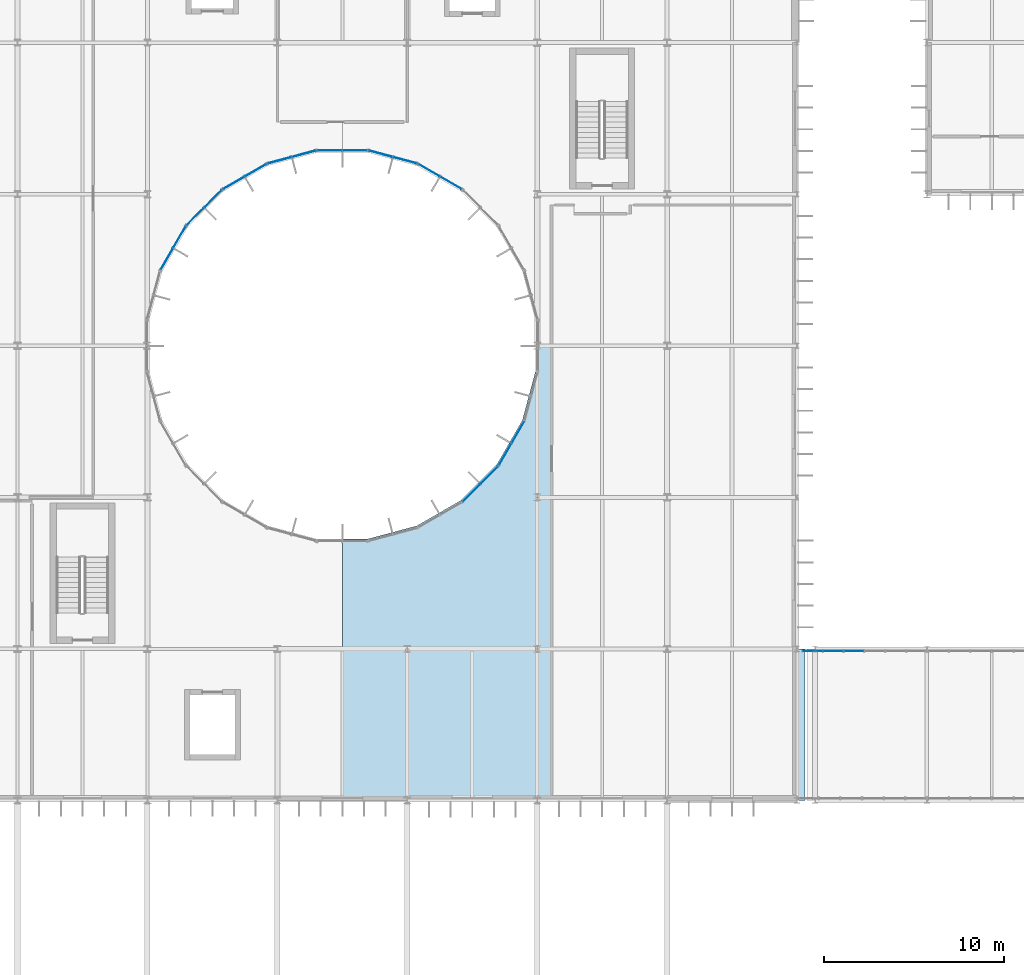
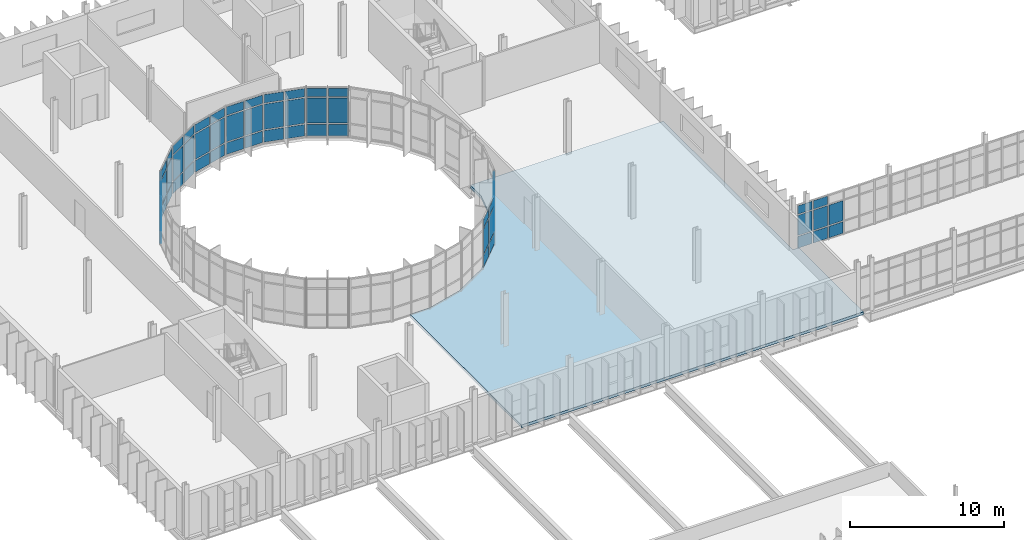
# One storey, part 74 of 119: 62 plates, 1 slab, 10 elements without a shape of their own.
"""IFC4 building model written with IfcOpenShell, lengths in metres."""

from ifc_helpers import new_model, si_unit, direction, frame, origin, origin_2d, place, context, subcontext, project, spatial, polyline, rectangle, outline, extrude, material, layer, layer_set, type_object, element, aggregate, save


model = new_model("IFC4")

# Units and contexts
model_context = context("Model", 3, precision=1e-05, world=origin(), true_north=direction((0.0, 1.0)))
body_context = subcontext(model_context, "Body", "Model", "MODEL_VIEW")
ifc_project = project(units=[si_unit("LENGTHUNIT", "METRE"), si_unit("AREAUNIT", "SQUARE_METRE"), si_unit("VOLUMEUNIT", "CUBIC_METRE"), si_unit("PLANEANGLEUNIT", "RADIAN"), si_unit("MASSUNIT", "GRAM", prefix="KILO")], contexts=[model_context])

# Site, building, storey
site_placement = place(None, origin())
site = spatial("IfcSite", under=ifc_project, at=site_placement, CompositionType="ELEMENT")
building_placement = place(site_placement, origin())
building = spatial("IfcBuilding", under=site, at=building_placement, Name="Qelthora Terrace Specialist Clinic", CompositionType="ELEMENT")
storey_placement = place(building_placement, frame((0.0, 0.0, 4.800048828125)))
storey = spatial("IfcBuildingStorey", under=building, at=storey_placement, Name="L01", CompositionType="ELEMENT", Elevation=4.800048828125)

# Curtain wall, plates
ifc_material_1 = material(Name="Aluminium anodized bronze", Category="aluminium")
curtain_wall_type_1 = type_object("IfcCurtainWallType", Name="CW-CRTW-UPP", PredefinedType="NOTDEFINED", material=ifc_material_1)
curtain_wall_1_placement = place(storey_placement, origin())
curtain_wall_1 = element("IfcCurtainWall", 1, at=curtain_wall_1_placement, inside=storey, type_object=curtain_wall_type_1, Name="Curtain wall CW-CW-L01-04", PredefinedType="NOTDEFINED")
ifc_material_2 = material(Name="Low-E triple-silver insulating glass", Category="glass")
ifc_layer_1 = layer(ifc_material_2, 0.035888671875)
ifc_layer_set_1 = layer_set([ifc_layer_1], Name="Low-E triple-silver insulating glass")
plate_type = type_object("IfcPlateType", Name="CWP-IGU-36", PredefinedType="CURTAIN_PANEL", material=ifc_layer_set_1)
plate_1_placement = place(storey_placement, frame((31.22412109375, 93.024658203125, 0.0849609375), z_axis=(0.0, 0.0, 1.0), x_axis=(-0.866025403784, 0.5, 0.0)))
plate_1 = element("IfcPlate", 2, at=plate_1_placement, type_object=plate_type, Name="CW-CW-L01-04 glazed panel 1", PredefinedType="CURTAIN_PANEL", context=body_context, shape_type="SweptSolid", body=[
    extrude(rectangle(XDim=1.3095703125, YDim=0.035888671875, at=origin_2d()), origin(), (0.0, 0.0, 1.0), 0.919921875),
])
plate_2_placement = place(storey_placement, frame((31.22412109375, 93.024658203125, 1.094970703125), z_axis=(0.0, 0.0, 1.0), x_axis=(-0.866025403784, 0.5, 0.0)))
plate_2 = element("IfcPlate", 3, at=plate_2_placement, type_object=plate_type, Name="CW-CW-L01-04 glazed panel 2", PredefinedType="CURTAIN_PANEL", context=body_context, shape_type="SweptSolid", body=[
    extrude(rectangle(XDim=1.3095703125, YDim=0.035888671875, at=origin_2d()), origin(), (0.0, 0.0, 1.0), 2.0048828125),
])
plate_3_placement = place(storey_placement, frame((31.22412109375, 93.024658203125, 3.18994140625), z_axis=(0.0, 0.0, 1.0), x_axis=(-0.866025403784, 0.5, 0.0)))
plate_3 = element("IfcPlate", 4, at=plate_3_placement, type_object=plate_type, Name="CW-CW-L01-04 glazed panel 3", PredefinedType="CURTAIN_PANEL", context=body_context, shape_type="SweptSolid", body=[
    extrude(rectangle(XDim=1.3095703125, YDim=0.035888671875, at=origin_2d()), origin(), (0.0, 0.0, 1.0), 0.669921875),
])
plate_4_placement = place(storey_placement, frame((30.00341796875, 93.7294921875, 0.0849609375), z_axis=(0.0, 0.0, 1.0), x_axis=(-0.866025403784, 0.5, 0.0)))
plate_4 = element("IfcPlate", 5, at=plate_4_placement, type_object=plate_type, Name="CW-CW-L01-04 glazed panel 4", PredefinedType="CURTAIN_PANEL", context=body_context, shape_type="SweptSolid", body=[
    extrude(rectangle(XDim=1.3095703125, YDim=0.035888671875, at=origin_2d()), origin(), (0.0, 0.0, 1.0), 0.919921875),
])
plate_5_placement = place(storey_placement, frame((30.00341796875, 93.7294921875, 1.094970703125), z_axis=(0.0, 0.0, 1.0), x_axis=(-0.866025403784, 0.5, 0.0)))
plate_5 = element("IfcPlate", 6, at=plate_5_placement, type_object=plate_type, Name="CW-CW-L01-04 glazed panel 5", PredefinedType="CURTAIN_PANEL", context=body_context, shape_type="SweptSolid", body=[
    extrude(rectangle(XDim=1.3095703125, YDim=0.035888671875, at=origin_2d()), origin(), (0.0, 0.0, 1.0), 2.0048828125),
])
plate_6_placement = place(storey_placement, frame((30.00341796875, 93.7294921875, 3.18994140625), z_axis=(0.0, 0.0, 1.0), x_axis=(-0.866025403784, 0.5, 0.0)))
plate_6 = element("IfcPlate", 7, at=plate_6_placement, type_object=plate_type, Name="CW-CW-L01-04 glazed panel 6", PredefinedType="CURTAIN_PANEL", context=body_context, shape_type="SweptSolid", body=[
    extrude(rectangle(XDim=1.3095703125, YDim=0.035888671875, at=origin_2d()), origin(), (0.0, 0.0, 1.0), 0.669921875),
])
aggregate(curtain_wall_1, [plate_1, plate_2, plate_3, plate_4, plate_5, plate_6])

curtain_wall_2_placement = place(storey_placement, origin())
curtain_wall_2 = element("IfcCurtainWall", 8, at=curtain_wall_2_placement, inside=storey, type_object=curtain_wall_type_1, Name="Curtain wall CW-CW-L01-05", PredefinedType="NOTDEFINED")
plate_7_placement = place(storey_placement, frame((28.68310546875, 94.276123046875, 0.0849609375), z_axis=(0.0, 0.0, 1.0), x_axis=(-0.965925374563, 0.258820730961, 0.0)))
plate_7 = element("IfcPlate", 9, at=plate_7_placement, type_object=plate_type, Name="CW-CW-L01-05 glazed panel 1", PredefinedType="CURTAIN_PANEL", context=body_context, shape_type="SweptSolid", body=[
    extrude(rectangle(XDim=1.3095703125, YDim=0.035888671875, at=origin_2d()), origin(), (0.0, 0.0, 1.0), 0.919921875),
])
plate_8_placement = place(storey_placement, frame((28.68310546875, 94.276123046875, 1.094970703125), z_axis=(0.0, 0.0, 1.0), x_axis=(-0.965925374563, 0.258820730961, 0.0)))
plate_8 = element("IfcPlate", 10, at=plate_8_placement, type_object=plate_type, Name="CW-CW-L01-05 glazed panel 2", PredefinedType="CURTAIN_PANEL", context=body_context, shape_type="SweptSolid", body=[
    extrude(rectangle(XDim=1.3095703125, YDim=0.035888671875, at=origin_2d()), origin(), (0.0, 0.0, 1.0), 2.0048828125),
])
plate_9_placement = place(storey_placement, frame((28.68310546875, 94.276123046875, 3.18994140625), z_axis=(0.0, 0.0, 1.0), x_axis=(-0.965925374563, 0.258820730961, 0.0)))
plate_9 = element("IfcPlate", 11, at=plate_9_placement, type_object=plate_type, Name="CW-CW-L01-05 glazed panel 3", PredefinedType="CURTAIN_PANEL", context=body_context, shape_type="SweptSolid", body=[
    extrude(rectangle(XDim=1.3095703125, YDim=0.035888671875, at=origin_2d()), origin(), (0.0, 0.0, 1.0), 0.669921875),
])
plate_10_placement = place(storey_placement, frame((27.321533203125, 94.64111328125, 0.0849609375), z_axis=(0.0, 0.0, 1.0), x_axis=(-0.965925374563, 0.258820730961, 0.0)))
plate_10 = element("IfcPlate", 12, at=plate_10_placement, type_object=plate_type, Name="CW-CW-L01-05 glazed panel 4", PredefinedType="CURTAIN_PANEL", context=body_context, shape_type="SweptSolid", body=[
    extrude(rectangle(XDim=1.3095703125, YDim=0.035888671875, at=origin_2d()), origin(), (0.0, 0.0, 1.0), 0.919921875),
])
plate_11_placement = place(storey_placement, frame((27.321533203125, 94.64111328125, 1.094970703125), z_axis=(0.0, 0.0, 1.0), x_axis=(-0.965925374563, 0.258820730961, 0.0)))
plate_11 = element("IfcPlate", 13, at=plate_11_placement, type_object=plate_type, Name="CW-CW-L01-05 glazed panel 5", PredefinedType="CURTAIN_PANEL", context=body_context, shape_type="SweptSolid", body=[
    extrude(rectangle(XDim=1.3095703125, YDim=0.035888671875, at=origin_2d()), origin(), (0.0, 0.0, 1.0), 2.0048828125),
])
plate_12_placement = place(storey_placement, frame((27.321533203125, 94.64111328125, 3.18994140625), z_axis=(0.0, 0.0, 1.0), x_axis=(-0.965925374563, 0.258820730961, 0.0)))
plate_12 = element("IfcPlate", 14, at=plate_12_placement, type_object=plate_type, Name="CW-CW-L01-05 glazed panel 6", PredefinedType="CURTAIN_PANEL", context=body_context, shape_type="SweptSolid", body=[
    extrude(rectangle(XDim=1.3095703125, YDim=0.035888671875, at=origin_2d()), origin(), (0.0, 0.0, 1.0), 0.669921875),
])
aggregate(curtain_wall_2, [plate_7, plate_8, plate_9, plate_10, plate_11, plate_12])

curtain_wall_3_placement = place(storey_placement, origin())
curtain_wall_3 = element("IfcCurtainWall", 15, at=curtain_wall_3_placement, inside=storey, type_object=curtain_wall_type_1, Name="Curtain wall CW-CW-L01-06", PredefinedType="NOTDEFINED")
plate_13_placement = place(storey_placement, frame((25.90478515625, 94.82763671875, 0.0849609375), z_axis=(0.0, 0.0, 1.0), x_axis=(-1.0, 0.0, 0.0)))
plate_13 = element("IfcPlate", 16, at=plate_13_placement, type_object=plate_type, Name="CW-CW-L01-06 glazed panel 1", PredefinedType="CURTAIN_PANEL", context=body_context, shape_type="SweptSolid", body=[
    extrude(rectangle(XDim=1.3095703125, YDim=0.035888671875, at=origin_2d()), origin(), (0.0, 0.0, 1.0), 0.919921875),
])
plate_14_placement = place(storey_placement, frame((25.90478515625, 94.82763671875, 1.094970703125), z_axis=(0.0, 0.0, 1.0), x_axis=(-1.0, 0.0, 0.0)))
plate_14 = element("IfcPlate", 17, at=plate_14_placement, type_object=plate_type, Name="CW-CW-L01-06 glazed panel 2", PredefinedType="CURTAIN_PANEL", context=body_context, shape_type="SweptSolid", body=[
    extrude(rectangle(XDim=1.3095703125, YDim=0.035888671875, at=origin_2d()), origin(), (0.0, 0.0, 1.0), 2.0048828125),
])
plate_15_placement = place(storey_placement, frame((25.90478515625, 94.82763671875, 3.18994140625), z_axis=(0.0, 0.0, 1.0), x_axis=(-1.0, 0.0, 0.0)))
plate_15 = element("IfcPlate", 18, at=plate_15_placement, type_object=plate_type, Name="CW-CW-L01-06 glazed panel 3", PredefinedType="CURTAIN_PANEL", context=body_context, shape_type="SweptSolid", body=[
    extrude(rectangle(XDim=1.3095703125, YDim=0.035888671875, at=origin_2d()), origin(), (0.0, 0.0, 1.0), 0.669921875),
])
plate_16_placement = place(storey_placement, frame((24.4951171875, 94.82763671875, 0.0849609375), z_axis=(0.0, 0.0, 1.0), x_axis=(-1.0, 0.0, 0.0)))
plate_16 = element("IfcPlate", 19, at=plate_16_placement, type_object=plate_type, Name="CW-CW-L01-06 glazed panel 4", PredefinedType="CURTAIN_PANEL", context=body_context, shape_type="SweptSolid", body=[
    extrude(rectangle(XDim=1.3095703125, YDim=0.035888671875, at=origin_2d()), origin(), (0.0, 0.0, 1.0), 0.919921875),
])
plate_17_placement = place(storey_placement, frame((24.4951171875, 94.82763671875, 1.094970703125), z_axis=(0.0, 0.0, 1.0), x_axis=(-1.0, 0.0, 0.0)))
plate_17 = element("IfcPlate", 20, at=plate_17_placement, type_object=plate_type, Name="CW-CW-L01-06 glazed panel 5", PredefinedType="CURTAIN_PANEL", context=body_context, shape_type="SweptSolid", body=[
    extrude(rectangle(XDim=1.3095703125, YDim=0.035888671875, at=origin_2d()), origin(), (0.0, 0.0, 1.0), 2.0048828125),
])
plate_18_placement = place(storey_placement, frame((24.4951171875, 94.82763671875, 3.18994140625), z_axis=(0.0, 0.0, 1.0), x_axis=(-1.0, 0.0, 0.0)))
plate_18 = element("IfcPlate", 21, at=plate_18_placement, type_object=plate_type, Name="CW-CW-L01-06 glazed panel 6", PredefinedType="CURTAIN_PANEL", context=body_context, shape_type="SweptSolid", body=[
    extrude(rectangle(XDim=1.3095703125, YDim=0.035888671875, at=origin_2d()), origin(), (0.0, 0.0, 1.0), 0.669921875),
])
aggregate(curtain_wall_3, [plate_13, plate_14, plate_15, plate_16, plate_17, plate_18])

curtain_wall_4_placement = place(storey_placement, origin())
curtain_wall_4 = element("IfcCurtainWall", 22, at=curtain_wall_4_placement, inside=storey, type_object=curtain_wall_type_1, Name="Curtain wall CW-CW-L01-07", PredefinedType="NOTDEFINED")
plate_19_placement = place(storey_placement, frame((23.078369140625, 94.64111328125, 0.0849609375), z_axis=(0.0, 0.0, 1.0), x_axis=(-0.965925374563, -0.258820730961, 0.0)))
plate_19 = element("IfcPlate", 23, at=plate_19_placement, type_object=plate_type, Name="CW-CW-L01-07 glazed panel 1", PredefinedType="CURTAIN_PANEL", context=body_context, shape_type="SweptSolid", body=[
    extrude(rectangle(XDim=1.3095703125, YDim=0.035888671875, at=origin_2d()), origin(), (0.0, 0.0, 1.0), 0.919921875),
])
plate_20_placement = place(storey_placement, frame((23.078369140625, 94.64111328125, 1.094970703125), z_axis=(0.0, 0.0, 1.0), x_axis=(-0.965925374563, -0.258820730961, 0.0)))
plate_20 = element("IfcPlate", 24, at=plate_20_placement, type_object=plate_type, Name="CW-CW-L01-07 glazed panel 2", PredefinedType="CURTAIN_PANEL", context=body_context, shape_type="SweptSolid", body=[
    extrude(rectangle(XDim=1.3095703125, YDim=0.035888671875, at=origin_2d()), origin(), (0.0, 0.0, 1.0), 2.0048828125),
])
plate_21_placement = place(storey_placement, frame((23.078369140625, 94.64111328125, 3.18994140625), z_axis=(0.0, 0.0, 1.0), x_axis=(-0.965925374563, -0.258820730961, 0.0)))
plate_21 = element("IfcPlate", 25, at=plate_21_placement, type_object=plate_type, Name="CW-CW-L01-07 glazed panel 3", PredefinedType="CURTAIN_PANEL", context=body_context, shape_type="SweptSolid", body=[
    extrude(rectangle(XDim=1.3095703125, YDim=0.035888671875, at=origin_2d()), origin(), (0.0, 0.0, 1.0), 0.669921875),
])
plate_22_placement = place(storey_placement, frame((21.716796875, 94.276123046875, 0.0849609375), z_axis=(0.0, 0.0, 1.0), x_axis=(-0.965925374563, -0.258820730961, 0.0)))
plate_22 = element("IfcPlate", 26, at=plate_22_placement, type_object=plate_type, Name="CW-CW-L01-07 glazed panel 4", PredefinedType="CURTAIN_PANEL", context=body_context, shape_type="SweptSolid", body=[
    extrude(rectangle(XDim=1.3095703125, YDim=0.035888671875, at=origin_2d()), origin(), (0.0, 0.0, 1.0), 0.919921875),
])
plate_23_placement = place(storey_placement, frame((21.716796875, 94.276123046875, 1.094970703125), z_axis=(0.0, 0.0, 1.0), x_axis=(-0.965925374563, -0.258820730961, 0.0)))
plate_23 = element("IfcPlate", 27, at=plate_23_placement, type_object=plate_type, Name="CW-CW-L01-07 glazed panel 5", PredefinedType="CURTAIN_PANEL", context=body_context, shape_type="SweptSolid", body=[
    extrude(rectangle(XDim=1.3095703125, YDim=0.035888671875, at=origin_2d()), origin(), (0.0, 0.0, 1.0), 2.0048828125),
])
plate_24_placement = place(storey_placement, frame((21.716796875, 94.276123046875, 3.18994140625), z_axis=(0.0, 0.0, 1.0), x_axis=(-0.965925374563, -0.258820730961, 0.0)))
plate_24 = element("IfcPlate", 28, at=plate_24_placement, type_object=plate_type, Name="CW-CW-L01-07 glazed panel 6", PredefinedType="CURTAIN_PANEL", context=body_context, shape_type="SweptSolid", body=[
    extrude(rectangle(XDim=1.3095703125, YDim=0.035888671875, at=origin_2d()), origin(), (0.0, 0.0, 1.0), 0.669921875),
])
aggregate(curtain_wall_4, [plate_19, plate_20, plate_21, plate_22, plate_23, plate_24])

curtain_wall_5_placement = place(storey_placement, origin())
curtain_wall_5 = element("IfcCurtainWall", 29, at=curtain_wall_5_placement, inside=storey, type_object=curtain_wall_type_1, Name="Curtain wall CW-CW-L01-08", PredefinedType="NOTDEFINED")
plate_25_placement = place(storey_placement, frame((20.396728515625, 93.7294921875, 0.0849609375), z_axis=(0.0, 0.0, 1.0), x_axis=(-0.866025403784, -0.5, 0.0)))
plate_25 = element("IfcPlate", 30, at=plate_25_placement, type_object=plate_type, Name="CW-CW-L01-08 glazed panel 1", PredefinedType="CURTAIN_PANEL", context=body_context, shape_type="SweptSolid", body=[
    extrude(rectangle(XDim=1.3095703125, YDim=0.035888671875, at=origin_2d()), origin(), (0.0, 0.0, 1.0), 0.919921875),
])
plate_26_placement = place(storey_placement, frame((20.396728515625, 93.7294921875, 1.094970703125), z_axis=(0.0, 0.0, 1.0), x_axis=(-0.866025403784, -0.5, 0.0)))
plate_26 = element("IfcPlate", 31, at=plate_26_placement, type_object=plate_type, Name="CW-CW-L01-08 glazed panel 2", PredefinedType="CURTAIN_PANEL", context=body_context, shape_type="SweptSolid", body=[
    extrude(rectangle(XDim=1.3095703125, YDim=0.035888671875, at=origin_2d()), origin(), (0.0, 0.0, 1.0), 2.0048828125),
])
plate_27_placement = place(storey_placement, frame((20.396728515625, 93.7294921875, 3.18994140625), z_axis=(0.0, 0.0, 1.0), x_axis=(-0.866025403784, -0.5, 0.0)))
plate_27 = element("IfcPlate", 32, at=plate_27_placement, type_object=plate_type, Name="CW-CW-L01-08 glazed panel 3", PredefinedType="CURTAIN_PANEL", context=body_context, shape_type="SweptSolid", body=[
    extrude(rectangle(XDim=1.3095703125, YDim=0.035888671875, at=origin_2d()), origin(), (0.0, 0.0, 1.0), 0.669921875),
])
plate_28_placement = place(storey_placement, frame((19.17578125, 93.024658203125, 0.0849609375), z_axis=(0.0, 0.0, 1.0), x_axis=(-0.866025403784, -0.5, 0.0)))
plate_28 = element("IfcPlate", 33, at=plate_28_placement, type_object=plate_type, Name="CW-CW-L01-08 glazed panel 4", PredefinedType="CURTAIN_PANEL", context=body_context, shape_type="SweptSolid", body=[
    extrude(rectangle(XDim=1.3095703125, YDim=0.035888671875, at=origin_2d()), origin(), (0.0, 0.0, 1.0), 0.919921875),
])
plate_29_placement = place(storey_placement, frame((19.17578125, 93.024658203125, 1.094970703125), z_axis=(0.0, 0.0, 1.0), x_axis=(-0.866025403784, -0.5, 0.0)))
plate_29 = element("IfcPlate", 34, at=plate_29_placement, type_object=plate_type, Name="CW-CW-L01-08 glazed panel 5", PredefinedType="CURTAIN_PANEL", context=body_context, shape_type="SweptSolid", body=[
    extrude(rectangle(XDim=1.3095703125, YDim=0.035888671875, at=origin_2d()), origin(), (0.0, 0.0, 1.0), 2.0048828125),
])
plate_30_placement = place(storey_placement, frame((19.17578125, 93.024658203125, 3.18994140625), z_axis=(0.0, 0.0, 1.0), x_axis=(-0.866025403784, -0.5, 0.0)))
plate_30 = element("IfcPlate", 35, at=plate_30_placement, type_object=plate_type, Name="CW-CW-L01-08 glazed panel 6", PredefinedType="CURTAIN_PANEL", context=body_context, shape_type="SweptSolid", body=[
    extrude(rectangle(XDim=1.3095703125, YDim=0.035888671875, at=origin_2d()), origin(), (0.0, 0.0, 1.0), 0.669921875),
])
aggregate(curtain_wall_5, [plate_25, plate_26, plate_27, plate_28, plate_29, plate_30])

curtain_wall_6_placement = place(storey_placement, origin())
curtain_wall_6 = element("IfcCurtainWall", 36, at=curtain_wall_6_placement, inside=storey, type_object=curtain_wall_type_1, Name="Curtain wall CW-CW-L01-09", PredefinedType="NOTDEFINED")
plate_31_placement = place(storey_placement, frame((18.042236328125, 92.15478515625, 0.0849609375), z_axis=(0.0, 0.0, 1.0), x_axis=(-0.707106781187, -0.707106781187, 0.0)))
plate_31 = element("IfcPlate", 37, at=plate_31_placement, type_object=plate_type, Name="CW-CW-L01-09 glazed panel 1", PredefinedType="CURTAIN_PANEL", context=body_context, shape_type="SweptSolid", body=[
    extrude(rectangle(XDim=1.3095703125, YDim=0.035888671875, at=origin_2d()), origin(), (0.0, 0.0, 1.0), 0.919921875),
])
plate_32_placement = place(storey_placement, frame((18.042236328125, 92.15478515625, 1.094970703125), z_axis=(0.0, 0.0, 1.0), x_axis=(-0.707106781187, -0.707106781187, 0.0)))
plate_32 = element("IfcPlate", 38, at=plate_32_placement, type_object=plate_type, Name="CW-CW-L01-09 glazed panel 2", PredefinedType="CURTAIN_PANEL", context=body_context, shape_type="SweptSolid", body=[
    extrude(rectangle(XDim=1.3095703125, YDim=0.035888671875, at=origin_2d()), origin(), (0.0, 0.0, 1.0), 2.0048828125),
])
plate_33_placement = place(storey_placement, frame((18.042236328125, 92.15478515625, 3.18994140625), z_axis=(0.0, 0.0, 1.0), x_axis=(-0.707106781187, -0.707106781187, 0.0)))
plate_33 = element("IfcPlate", 39, at=plate_33_placement, type_object=plate_type, Name="CW-CW-L01-09 glazed panel 3", PredefinedType="CURTAIN_PANEL", context=body_context, shape_type="SweptSolid", body=[
    extrude(rectangle(XDim=1.3095703125, YDim=0.035888671875, at=origin_2d()), origin(), (0.0, 0.0, 1.0), 0.669921875),
])
plate_34_placement = place(storey_placement, frame((17.04541015625, 91.157958984375, 0.0849609375), z_axis=(0.0, 0.0, 1.0), x_axis=(-0.707106781187, -0.707106781187, 0.0)))
plate_34 = element("IfcPlate", 40, at=plate_34_placement, type_object=plate_type, Name="CW-CW-L01-09 glazed panel 4", PredefinedType="CURTAIN_PANEL", context=body_context, shape_type="SweptSolid", body=[
    extrude(rectangle(XDim=1.3095703125, YDim=0.035888671875, at=origin_2d()), origin(), (0.0, 0.0, 1.0), 0.919921875),
])
plate_35_placement = place(storey_placement, frame((17.04541015625, 91.157958984375, 1.094970703125), z_axis=(0.0, 0.0, 1.0), x_axis=(-0.707106781187, -0.707106781187, 0.0)))
plate_35 = element("IfcPlate", 41, at=plate_35_placement, type_object=plate_type, Name="CW-CW-L01-09 glazed panel 5", PredefinedType="CURTAIN_PANEL", context=body_context, shape_type="SweptSolid", body=[
    extrude(rectangle(XDim=1.3095703125, YDim=0.035888671875, at=origin_2d()), origin(), (0.0, 0.0, 1.0), 2.0048828125),
])
plate_36_placement = place(storey_placement, frame((17.04541015625, 91.157958984375, 3.18994140625), z_axis=(0.0, 0.0, 1.0), x_axis=(-0.707106781187, -0.707106781187, 0.0)))
plate_36 = element("IfcPlate", 42, at=plate_36_placement, type_object=plate_type, Name="CW-CW-L01-09 glazed panel 6", PredefinedType="CURTAIN_PANEL", context=body_context, shape_type="SweptSolid", body=[
    extrude(rectangle(XDim=1.3095703125, YDim=0.035888671875, at=origin_2d()), origin(), (0.0, 0.0, 1.0), 0.669921875),
])
aggregate(curtain_wall_6, [plate_31, plate_32, plate_33, plate_34, plate_35, plate_36])

curtain_wall_7_placement = place(storey_placement, origin())
curtain_wall_7 = element("IfcCurtainWall", 43, at=curtain_wall_7_placement, inside=storey, type_object=curtain_wall_type_1, Name="Curtain wall CW-CW-L01-10", PredefinedType="NOTDEFINED")
plate_37_placement = place(storey_placement, frame((16.175537109375, 90.024169921875, 0.0849609375), z_axis=(0.0, 0.0, 1.0), x_axis=(-0.5, -0.866025403784, 0.0)))
plate_37 = element("IfcPlate", 44, at=plate_37_placement, type_object=plate_type, Name="CW-CW-L01-10 glazed panel 1", PredefinedType="CURTAIN_PANEL", context=body_context, shape_type="SweptSolid", body=[
    extrude(rectangle(XDim=1.3095703125, YDim=0.035888671875, at=origin_2d()), origin(), (0.0, 0.0, 1.0), 0.919921875),
])
plate_38_placement = place(storey_placement, frame((16.175537109375, 90.024169921875, 1.094970703125), z_axis=(0.0, 0.0, 1.0), x_axis=(-0.5, -0.866025403784, 0.0)))
plate_38 = element("IfcPlate", 45, at=plate_38_placement, type_object=plate_type, Name="CW-CW-L01-10 glazed panel 2", PredefinedType="CURTAIN_PANEL", context=body_context, shape_type="SweptSolid", body=[
    extrude(rectangle(XDim=1.3095703125, YDim=0.035888671875, at=origin_2d()), origin(), (0.0, 0.0, 1.0), 2.0048828125),
])
plate_39_placement = place(storey_placement, frame((16.175537109375, 90.024169921875, 3.18994140625), z_axis=(0.0, 0.0, 1.0), x_axis=(-0.5, -0.866025403784, 0.0)))
plate_39 = element("IfcPlate", 46, at=plate_39_placement, type_object=plate_type, Name="CW-CW-L01-10 glazed panel 3", PredefinedType="CURTAIN_PANEL", context=body_context, shape_type="SweptSolid", body=[
    extrude(rectangle(XDim=1.3095703125, YDim=0.035888671875, at=origin_2d()), origin(), (0.0, 0.0, 1.0), 0.669921875),
])
plate_40_placement = place(storey_placement, frame((15.470703125, 88.803466796875, 0.0849609375), z_axis=(0.0, 0.0, 1.0), x_axis=(-0.5, -0.866025403784, 0.0)))
plate_40 = element("IfcPlate", 47, at=plate_40_placement, type_object=plate_type, Name="CW-CW-L01-10 glazed panel 4", PredefinedType="CURTAIN_PANEL", context=body_context, shape_type="SweptSolid", body=[
    extrude(rectangle(XDim=1.3095703125, YDim=0.035888671875, at=origin_2d()), origin(), (0.0, 0.0, 1.0), 0.919921875),
])
plate_41_placement = place(storey_placement, frame((15.470703125, 88.803466796875, 1.094970703125), z_axis=(0.0, 0.0, 1.0), x_axis=(-0.5, -0.866025403784, 0.0)))
plate_41 = element("IfcPlate", 48, at=plate_41_placement, type_object=plate_type, Name="CW-CW-L01-10 glazed panel 5", PredefinedType="CURTAIN_PANEL", context=body_context, shape_type="SweptSolid", body=[
    extrude(rectangle(XDim=1.3095703125, YDim=0.035888671875, at=origin_2d()), origin(), (0.0, 0.0, 1.0), 2.0048828125),
])
plate_42_placement = place(storey_placement, frame((15.470703125, 88.803466796875, 3.18994140625), z_axis=(0.0, 0.0, 1.0), x_axis=(-0.5, -0.866025403784, 0.0)))
plate_42 = element("IfcPlate", 49, at=plate_42_placement, type_object=plate_type, Name="CW-CW-L01-10 glazed panel 6", PredefinedType="CURTAIN_PANEL", context=body_context, shape_type="SweptSolid", body=[
    extrude(rectangle(XDim=1.3095703125, YDim=0.035888671875, at=origin_2d()), origin(), (0.0, 0.0, 1.0), 0.669921875),
])
aggregate(curtain_wall_7, [plate_37, plate_38, plate_39, plate_40, plate_41, plate_42])

curtain_wall_8_placement = place(storey_placement, origin())
curtain_wall_8 = element("IfcCurtainWall", 50, at=curtain_wall_8_placement, inside=storey, type_object=curtain_wall_type_1, Name="Curtain wall CW-CW-L01-21", PredefinedType="NOTDEFINED")
plate_43_placement = place(storey_placement, frame((32.35791015625, 75.84521484375, 0.0849609375), z_axis=(0.0, 0.0, 1.0), x_axis=(0.707106781187, 0.707106781187, 0.0)))
plate_43 = element("IfcPlate", 51, at=plate_43_placement, type_object=plate_type, Name="CW-CW-L01-21 glazed panel 1", PredefinedType="CURTAIN_PANEL", context=body_context, shape_type="SweptSolid", body=[
    extrude(rectangle(XDim=1.3095703125, YDim=0.035888671875, at=origin_2d()), origin(), (0.0, 0.0, 1.0), 0.919921875),
])
plate_44_placement = place(storey_placement, frame((32.35791015625, 75.84521484375, 1.094970703125), z_axis=(0.0, 0.0, 1.0), x_axis=(0.707106781187, 0.707106781187, 0.0)))
plate_44 = element("IfcPlate", 52, at=plate_44_placement, type_object=plate_type, Name="CW-CW-L01-21 glazed panel 2", PredefinedType="CURTAIN_PANEL", context=body_context, shape_type="SweptSolid", body=[
    extrude(rectangle(XDim=1.3095703125, YDim=0.035888671875, at=origin_2d()), origin(), (0.0, 0.0, 1.0), 2.0048828125),
])
plate_45_placement = place(storey_placement, frame((32.35791015625, 75.84521484375, 3.18994140625), z_axis=(0.0, 0.0, 1.0), x_axis=(0.707106781187, 0.707106781187, 0.0)))
plate_45 = element("IfcPlate", 53, at=plate_45_placement, type_object=plate_type, Name="CW-CW-L01-21 glazed panel 3", PredefinedType="CURTAIN_PANEL", context=body_context, shape_type="SweptSolid", body=[
    extrude(rectangle(XDim=1.3095703125, YDim=0.035888671875, at=origin_2d()), origin(), (0.0, 0.0, 1.0), 0.669921875),
])
plate_46_placement = place(storey_placement, frame((33.354736328125, 76.842041015625, 0.0849609375), z_axis=(0.0, 0.0, 1.0), x_axis=(0.707106781187, 0.707106781187, 0.0)))
plate_46 = element("IfcPlate", 54, at=plate_46_placement, type_object=plate_type, Name="CW-CW-L01-21 glazed panel 4", PredefinedType="CURTAIN_PANEL", context=body_context, shape_type="SweptSolid", body=[
    extrude(rectangle(XDim=1.3095703125, YDim=0.035888671875, at=origin_2d()), origin(), (0.0, 0.0, 1.0), 0.919921875),
])
plate_47_placement = place(storey_placement, frame((33.354736328125, 76.842041015625, 1.094970703125), z_axis=(0.0, 0.0, 1.0), x_axis=(0.707106781187, 0.707106781187, 0.0)))
plate_47 = element("IfcPlate", 55, at=plate_47_placement, type_object=plate_type, Name="CW-CW-L01-21 glazed panel 5", PredefinedType="CURTAIN_PANEL", context=body_context, shape_type="SweptSolid", body=[
    extrude(rectangle(XDim=1.3095703125, YDim=0.035888671875, at=origin_2d()), origin(), (0.0, 0.0, 1.0), 2.0048828125),
])
plate_48_placement = place(storey_placement, frame((33.354736328125, 76.842041015625, 3.18994140625), z_axis=(0.0, 0.0, 1.0), x_axis=(0.707106781187, 0.707106781187, 0.0)))
plate_48 = element("IfcPlate", 56, at=plate_48_placement, type_object=plate_type, Name="CW-CW-L01-21 glazed panel 6", PredefinedType="CURTAIN_PANEL", context=body_context, shape_type="SweptSolid", body=[
    extrude(rectangle(XDim=1.3095703125, YDim=0.035888671875, at=origin_2d()), origin(), (0.0, 0.0, 1.0), 0.669921875),
])
aggregate(curtain_wall_8, [plate_43, plate_44, plate_45, plate_46, plate_47, plate_48])

curtain_wall_9_placement = place(storey_placement, origin())
curtain_wall_9 = element("IfcCurtainWall", 57, at=curtain_wall_9_placement, inside=storey, type_object=curtain_wall_type_1, Name="Curtain wall CW-CW-L01-22", PredefinedType="NOTDEFINED")
plate_49_placement = place(storey_placement, frame((34.224609375, 77.975830078125, 0.0849609375), z_axis=(0.0, 0.0, 1.0), x_axis=(0.5, 0.866025403784, 0.0)))
plate_49 = element("IfcPlate", 58, at=plate_49_placement, type_object=plate_type, Name="CW-CW-L01-22 glazed panel 1", PredefinedType="CURTAIN_PANEL", context=body_context, shape_type="SweptSolid", body=[
    extrude(rectangle(XDim=1.3095703125, YDim=0.035888671875, at=origin_2d()), origin(), (0.0, 0.0, 1.0), 0.919921875),
])
plate_50_placement = place(storey_placement, frame((34.224609375, 77.975830078125, 1.094970703125), z_axis=(0.0, 0.0, 1.0), x_axis=(0.5, 0.866025403784, 0.0)))
plate_50 = element("IfcPlate", 59, at=plate_50_placement, type_object=plate_type, Name="CW-CW-L01-22 glazed panel 2", PredefinedType="CURTAIN_PANEL", context=body_context, shape_type="SweptSolid", body=[
    extrude(rectangle(XDim=1.3095703125, YDim=0.035888671875, at=origin_2d()), origin(), (0.0, 0.0, 1.0), 2.0048828125),
])
plate_51_placement = place(storey_placement, frame((34.224609375, 77.975830078125, 3.18994140625), z_axis=(0.0, 0.0, 1.0), x_axis=(0.5, 0.866025403784, 0.0)))
plate_51 = element("IfcPlate", 60, at=plate_51_placement, type_object=plate_type, Name="CW-CW-L01-22 glazed panel 3", PredefinedType="CURTAIN_PANEL", context=body_context, shape_type="SweptSolid", body=[
    extrude(rectangle(XDim=1.3095703125, YDim=0.035888671875, at=origin_2d()), origin(), (0.0, 0.0, 1.0), 0.669921875),
])
plate_52_placement = place(storey_placement, frame((34.929443359375, 79.196533203125, 0.0849609375), z_axis=(0.0, 0.0, 1.0), x_axis=(0.5, 0.866025403784, 0.0)))
plate_52 = element("IfcPlate", 61, at=plate_52_placement, type_object=plate_type, Name="CW-CW-L01-22 glazed panel 4", PredefinedType="CURTAIN_PANEL", context=body_context, shape_type="SweptSolid", body=[
    extrude(rectangle(XDim=1.3095703125, YDim=0.035888671875, at=origin_2d()), origin(), (0.0, 0.0, 1.0), 0.919921875),
])
plate_53_placement = place(storey_placement, frame((34.929443359375, 79.196533203125, 1.094970703125), z_axis=(0.0, 0.0, 1.0), x_axis=(0.5, 0.866025403784, 0.0)))
plate_53 = element("IfcPlate", 62, at=plate_53_placement, type_object=plate_type, Name="CW-CW-L01-22 glazed panel 5", PredefinedType="CURTAIN_PANEL", context=body_context, shape_type="SweptSolid", body=[
    extrude(rectangle(XDim=1.3095703125, YDim=0.035888671875, at=origin_2d()), origin(), (0.0, 0.0, 1.0), 2.0048828125),
])
plate_54_placement = place(storey_placement, frame((34.929443359375, 79.196533203125, 3.18994140625), z_axis=(0.0, 0.0, 1.0), x_axis=(0.5, 0.866025403784, 0.0)))
plate_54 = element("IfcPlate", 63, at=plate_54_placement, type_object=plate_type, Name="CW-CW-L01-22 glazed panel 6", PredefinedType="CURTAIN_PANEL", context=body_context, shape_type="SweptSolid", body=[
    extrude(rectangle(XDim=1.3095703125, YDim=0.035888671875, at=origin_2d()), origin(), (0.0, 0.0, 1.0), 0.669921875),
])
aggregate(curtain_wall_9, [plate_49, plate_50, plate_51, plate_52, plate_53, plate_54])

curtain_wall_type_2 = type_object("IfcCurtainWallType", Name="CW-BRG-L01", PredefinedType="NOTDEFINED", material=ifc_material_1)
curtain_wall_10_placement = place(storey_placement, origin())
curtain_wall_10 = element("IfcCurtainWall", 64, at=curtain_wall_10_placement, inside=storey, type_object=curtain_wall_type_2, Name="Curtain wall CW-L01-234", PredefinedType="NOTDEFINED")
plate_55_placement = place(storey_placement, frame((51.23828125, 67.080078125, 0.0849609375), z_axis=(0.0, 0.0, 1.0), x_axis=(1.0, 0.0, 0.0)))
plate_55 = element("IfcPlate", 65, at=plate_55_placement, type_object=plate_type, Name="CW-L01-234 glazed panel 1", PredefinedType="CURTAIN_PANEL", context=body_context, shape_type="SweptSolid", body=[
    extrude(rectangle(XDim=1.056640625, YDim=0.035888671875, at=origin_2d()), origin(), (0.0, 0.0, 1.0), 0.919921875),
])
plate_56_placement = place(storey_placement, frame((51.23828125, 67.080078125, 1.0947265625), z_axis=(0.0, 0.0, 1.0), x_axis=(1.0, 0.0, 0.0)))
plate_56 = element("IfcPlate", 66, at=plate_56_placement, type_object=plate_type, Name="CW-L01-234 glazed panel 2", PredefinedType="CURTAIN_PANEL", context=body_context, shape_type="SweptSolid", body=[
    extrude(rectangle(XDim=1.056640625, YDim=0.035888671875, at=origin_2d()), origin(), (0.0, 0.0, 1.0), 1.589111328125),
])
plate_57_placement = place(storey_placement, frame((51.23828125, 67.080078125, 2.77392578125), z_axis=(0.0, 0.0, 1.0), x_axis=(1.0, 0.0, 0.0)))
plate_57 = element("IfcPlate", 67, at=plate_57_placement, type_object=plate_type, Name="CW-L01-234 glazed panel 3", PredefinedType="CURTAIN_PANEL", context=body_context, shape_type="SweptSolid", body=[
    extrude(rectangle(XDim=1.056640625, YDim=0.035888671875, at=origin_2d()), origin(), (0.0, 0.0, 1.0), 0.669921875),
])
plate_58_placement = place(storey_placement, frame((52.39501953125, 67.080078125, 0.0849609375), z_axis=(0.0, 0.0, 1.0), x_axis=(1.0, 0.0, 0.0)))
plate_58 = element("IfcPlate", 68, at=plate_58_placement, type_object=plate_type, Name="CW-L01-234 glazed panel 4", PredefinedType="CURTAIN_PANEL", context=body_context, shape_type="SweptSolid", body=[
    extrude(rectangle(XDim=1.056640625, YDim=0.035888671875, at=origin_2d()), origin(), (0.0, 0.0, 1.0), 0.919921875),
])
plate_59_placement = place(storey_placement, frame((52.39501953125, 67.080078125, 1.0947265625), z_axis=(0.0, 0.0, 1.0), x_axis=(1.0, 0.0, 0.0)))
plate_59 = element("IfcPlate", 69, at=plate_59_placement, type_object=plate_type, Name="CW-L01-234 glazed panel 5", PredefinedType="CURTAIN_PANEL", context=body_context, shape_type="SweptSolid", body=[
    extrude(rectangle(XDim=1.056640625, YDim=0.035888671875, at=origin_2d()), origin(), (0.0, 0.0, 1.0), 1.589111328125),
])
plate_60_placement = place(storey_placement, frame((52.39501953125, 67.080078125, 2.77392578125), z_axis=(0.0, 0.0, 1.0), x_axis=(1.0, 0.0, 0.0)))
plate_60 = element("IfcPlate", 70, at=plate_60_placement, type_object=plate_type, Name="CW-L01-234 glazed panel 6", PredefinedType="CURTAIN_PANEL", context=body_context, shape_type="SweptSolid", body=[
    extrude(rectangle(XDim=1.056640625, YDim=0.035888671875, at=origin_2d()), origin(), (0.0, 0.0, 1.0), 0.669921875),
])
plate_61_placement = place(storey_placement, frame((53.5517578125, 67.080078125, 0.0849609375), z_axis=(0.0, 0.0, 1.0), x_axis=(1.0, 0.0, 0.0)))
plate_61 = element("IfcPlate", 71, at=plate_61_placement, type_object=plate_type, Name="CW-L01-234 glazed panel 7", PredefinedType="CURTAIN_PANEL", context=body_context, shape_type="SweptSolid", body=[
    extrude(rectangle(XDim=1.056640625, YDim=0.035888671875, at=origin_2d()), origin(), (0.0, 0.0, 1.0), 0.919921875),
])
plate_62_placement = place(storey_placement, frame((53.5517578125, 67.080078125, 1.0947265625), z_axis=(0.0, 0.0, 1.0), x_axis=(1.0, 0.0, 0.0)))
plate_62 = element("IfcPlate", 72, at=plate_62_placement, type_object=plate_type, Name="CW-L01-234 glazed panel 8", PredefinedType="CURTAIN_PANEL", context=body_context, shape_type="SweptSolid", body=[
    extrude(rectangle(XDim=1.056640625, YDim=0.035888671875, at=origin_2d()), origin(), (0.0, 0.0, 1.0), 1.589111328125),
])
aggregate(curtain_wall_10, [plate_55, plate_56, plate_57, plate_58, plate_59, plate_60, plate_61, plate_62])

# Slab
ifc_material_3 = material(Name="Concrete C30/37", Category="concrete")
ifc_layer_2 = layer(ifc_material_3, 0.219970703125)
ifc_layer_set_2 = layer_set([ifc_layer_2], Name="Concrete C30/37")
slab_type = type_object("IfcSlabType", Name="SLB-FLR-220-C30", PredefinedType="FLOOR", material=ifc_layer_set_2)
slab_placement = place(storey_placement, frame((0.0, 0.0, -0.219970703125)))
element("IfcSlab", 73, at=slab_placement, inside=storey, type_object=slab_type, Name="L01 V5 slab SLB-L01-V5SE", PredefinedType="FLOOR", context=body_context, shape_type="SweptSolid", body=[
    extrude(outline(polyline([(50.39990234375, 67.199951171875), (50.85009765625, 67.199951171875), (50.85009765625, 58.800048828125), (25.199951171875, 58.800048828125), (25.199951171875, 73.29248046875), (26.609619140625, 73.29248046875), (29.3330078125, 74.022216796875), (31.774658203125, 75.431884765625), (33.768310546875, 77.42529296875), (35.177978515625, 79.866943359375), (35.90771484375, 82.59033203125), (35.90771484375, 84.0), (50.39990234375, 84.0), (50.39990234375, 67.199951171875)])), origin(), (0.0, 0.0, 1.0), 0.219970703125),
])

save(model, "model.ifc")
